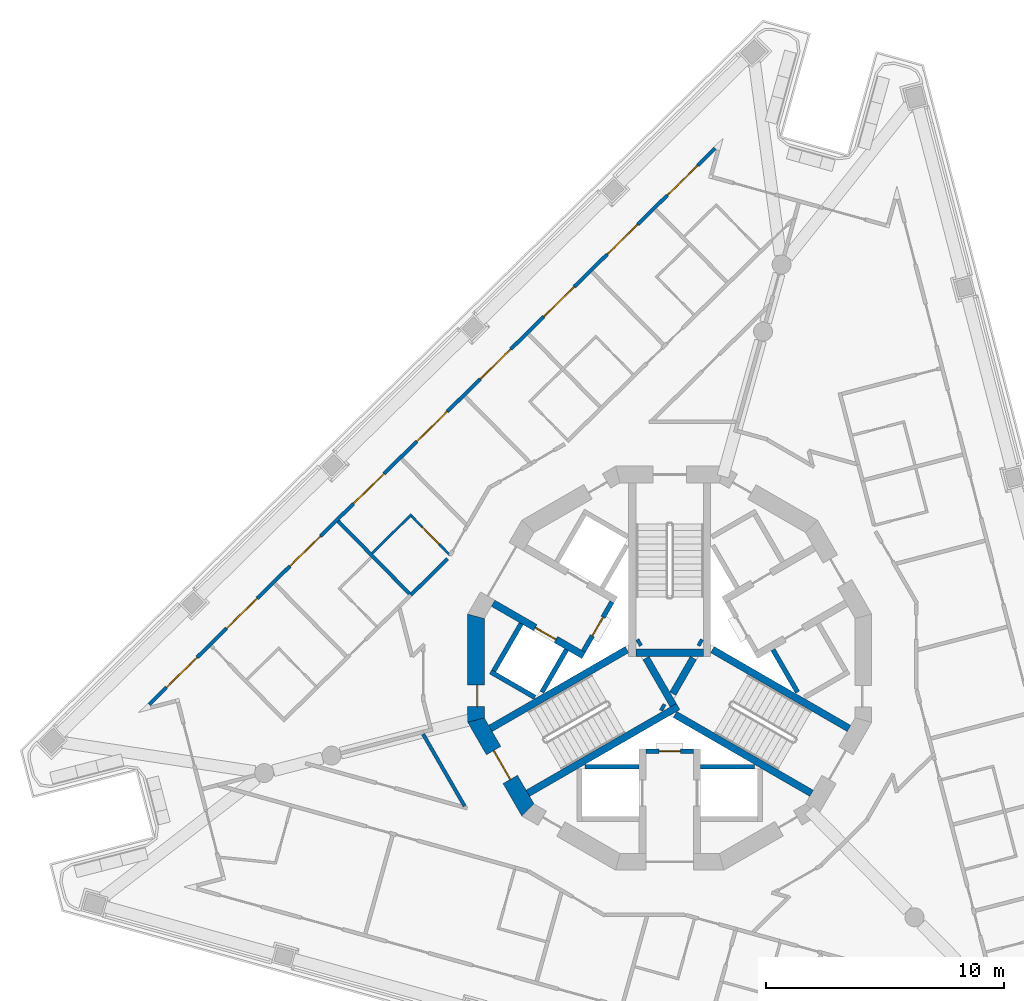
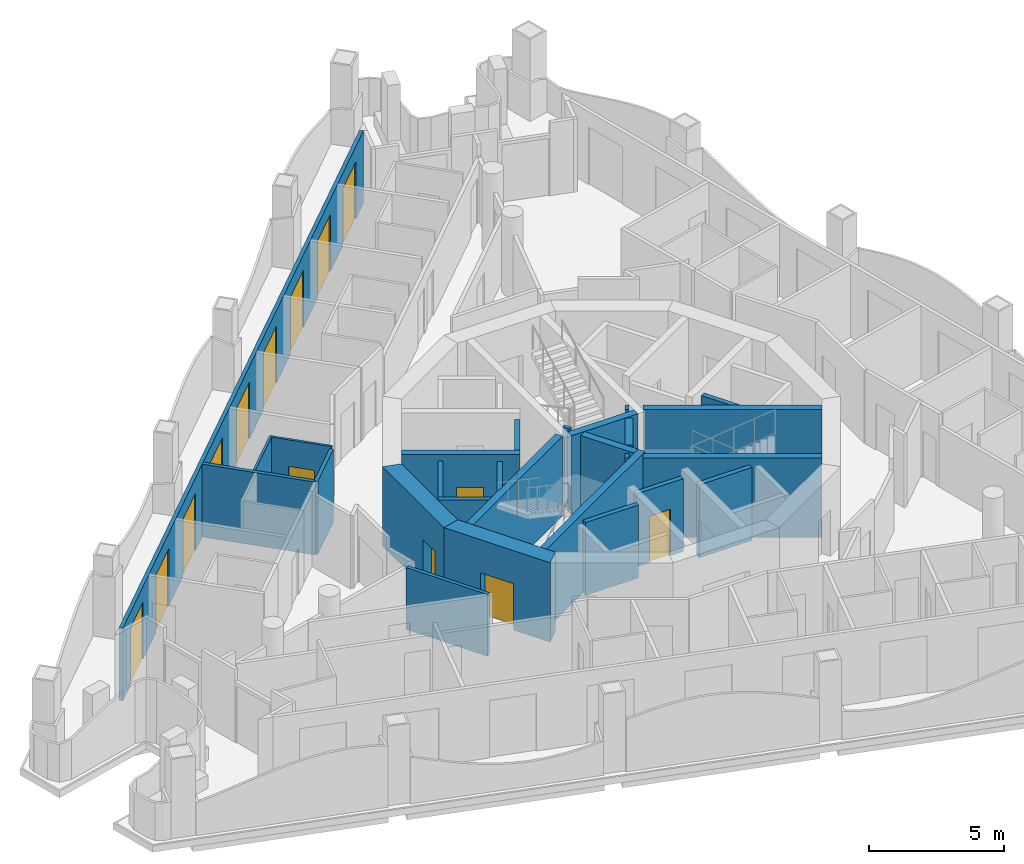
# One storey, part 4 of 14: 27 walls, 15 doors, 15 openings.
"""IFC4 building model written with IfcOpenShell, lengths in metres."""

from ifc_helpers import new_model, si_unit, direction, frame, frame_2d, origin, place, context, subcontext, project, spatial, polyline, rectangle, outline, extrude, material, layer, layer_set, type_object, element, fill, save


model = new_model("IFC4")

# Units and contexts
model_context = context("Model", 3, precision=1e-05, world=origin(), true_north=direction((0.0, 1.0)))
body_context = subcontext(model_context, "Body", "Model", "MODEL_VIEW")
ifc_project = project(units=[si_unit("LENGTHUNIT", "METRE"), si_unit("AREAUNIT", "SQUARE_METRE"), si_unit("VOLUMEUNIT", "CUBIC_METRE"), si_unit("PLANEANGLEUNIT", "RADIAN"), si_unit("MASSUNIT", "GRAM", prefix="KILO")], contexts=[model_context])

# Site, building, storey
site_placement = place(None, origin())
site = spatial("IfcSite", under=ifc_project, at=site_placement, CompositionType="ELEMENT")
building_placement = place(site_placement, origin())
building = spatial("IfcBuilding", under=site, at=building_placement, Name="Trine Commons Tower", CompositionType="ELEMENT")
storey_placement = place(building_placement, frame((0.0, 0.0, 238.5)))
storey = spatial("IfcBuildingStorey", under=building, at=storey_placement, Name="L62", CompositionType="ELEMENT", Elevation=238.5)

# Wall, openings, doors
ifc_material_1 = material(Name="Aluminium-framed insulated wall panel", Category="aluminium")
ifc_layer_1 = layer(ifc_material_1, 0.14990234375)
ifc_layer_set_1 = layer_set([ifc_layer_1], Name="Aluminium-framed insulated wall panel")
wall_type_1 = type_object("IfcWallType", Name="Glazed frame wall 150, EI 60", PredefinedType="SOLIDWALL", material=ifc_layer_set_1)
wall_1_placement = place(storey_placement, frame((57.98974609375, 60.867431640625, 0.0), z_axis=(0.0, 0.0, 1.0), x_axis=(0.713254682671, 0.700904956216, 0.0)))
wall_1 = element("IfcWall", 1, at=wall_1_placement, inside=storey, type_object=wall_type_1, Name="Glazed frame wall F1", PredefinedType="SOLIDWALL", context=body_context, shape_type="SweptSolid", body=[
    extrude(outline(polyline([(0.1494140625, 0.074951171875), (0.1494140625, -0.074951171875), (33.536865234375, -0.074951171875), (33.536865234375, 0.074951171875), (0.1494140625, 0.074951171875)])), origin(), (0.0, 0.0, 1.0), 3.300048828125),
])
opening_1_placement = place(wall_1_placement, frame((1.17138671875, 0.0, 0.0)))
opening_1 = element("IfcOpeningElement", 2, at=opening_1_placement, cuts=wall_1, Name="Opening BD-7F1-01", PredefinedType="OPENING", context=body_context, shape_type="SweptSolid", body=[
    extrude(rectangle(XDim=1.800048828125, YDim=2.60009765625, at=frame_2d((0.89990234375, 1.300048828125))), frame((0.0, 0.0849609375, 0.0), z_axis=(0.0, -1.0, 0.0), x_axis=(1.0, 0.0, 0.0)), (0.0, 0.0, 1.0), 0.169921875),
])
opening_2_placement = place(wall_1_placement, frame((4.71435546875, 0.0, 0.0)))
opening_2 = element("IfcOpeningElement", 3, at=opening_2_placement, cuts=wall_1, Name="Opening BD-7F1-02", PredefinedType="OPENING", context=body_context, shape_type="SweptSolid", body=[
    extrude(rectangle(XDim=1.800048828125, YDim=2.60009765625, at=frame_2d((0.89990234375, 1.300048828125))), frame((0.0, 0.0849609375, 0.0), z_axis=(0.0, -1.0, 0.0), x_axis=(1.0, 0.0, 0.0)), (0.0, 0.0, 1.0), 0.169921875),
])
opening_3_placement = place(wall_1_placement, frame((8.457275390625, 0.0, 0.0)))
opening_3 = element("IfcOpeningElement", 4, at=opening_3_placement, cuts=wall_1, Name="Opening BD-7F1-03", PredefinedType="OPENING", context=body_context, shape_type="SweptSolid", body=[
    extrude(rectangle(XDim=1.800048828125, YDim=2.60009765625, at=frame_2d((0.89990234375, 1.300048828125))), frame((0.0, 0.0849609375, 0.0), z_axis=(0.0, -1.0, 0.0), x_axis=(1.0, 0.0, 0.0)), (0.0, 0.0, 1.0), 0.169921875),
])
opening_4_placement = place(wall_1_placement, frame((12.2001953125, 0.0, 0.0)))
opening_4 = element("IfcOpeningElement", 5, at=opening_4_placement, cuts=wall_1, Name="Opening BD-7F1-04", PredefinedType="OPENING", context=body_context, shape_type="SweptSolid", body=[
    extrude(rectangle(XDim=1.800048828125, YDim=2.60009765625, at=frame_2d((0.89990234375, 1.300048828125))), frame((0.0, 0.0849609375, 0.0), z_axis=(0.0, -1.0, 0.0), x_axis=(1.0, 0.0, 0.0)), (0.0, 0.0, 1.0), 0.169921875),
])
opening_5_placement = place(wall_1_placement, frame((15.943115234375, 0.0, 0.0)))
opening_5 = element("IfcOpeningElement", 6, at=opening_5_placement, cuts=wall_1, Name="Opening BD-7F1-05", PredefinedType="OPENING", context=body_context, shape_type="SweptSolid", body=[
    extrude(rectangle(XDim=1.800048828125, YDim=2.60009765625, at=frame_2d((0.89990234375, 1.300048828125))), frame((0.0, 0.0849609375, 0.0), z_axis=(0.0, -1.0, 0.0), x_axis=(1.0, 0.0, 0.0)), (0.0, 0.0, 1.0), 0.169921875),
])
opening_6_placement = place(wall_1_placement, frame((19.68603515625, 0.0, 0.0)))
opening_6 = element("IfcOpeningElement", 7, at=opening_6_placement, cuts=wall_1, Name="Opening BD-7F1-06", PredefinedType="OPENING", context=body_context, shape_type="SweptSolid", body=[
    extrude(rectangle(XDim=1.800048828125, YDim=2.60009765625, at=frame_2d((0.89990234375, 1.300048828125))), frame((0.0, 0.0849609375, 0.0), z_axis=(0.0, -1.0, 0.0), x_axis=(1.0, 0.0, 0.0)), (0.0, 0.0, 1.0), 0.169921875),
])
opening_7_placement = place(wall_1_placement, frame((23.428955078125, 0.0, 0.0)))
opening_7 = element("IfcOpeningElement", 8, at=opening_7_placement, cuts=wall_1, Name="Opening BD-7F1-07", PredefinedType="OPENING", context=body_context, shape_type="SweptSolid", body=[
    extrude(rectangle(XDim=1.800048828125, YDim=2.60009765625, at=frame_2d((0.89990234375, 1.300048828125))), frame((0.0, 0.0849609375, 0.0), z_axis=(0.0, -1.0, 0.0), x_axis=(1.0, 0.0, 0.0)), (0.0, 0.0, 1.0), 0.169921875),
])
opening_8_placement = place(wall_1_placement, frame((27.171875, 0.0, 0.0)))
opening_8 = element("IfcOpeningElement", 9, at=opening_8_placement, cuts=wall_1, Name="Opening BD-7F1-08", PredefinedType="OPENING", context=body_context, shape_type="SweptSolid", body=[
    extrude(rectangle(XDim=1.800048828125, YDim=2.60009765625, at=frame_2d((0.89990234375, 1.300048828125))), frame((0.0, 0.0849609375, 0.0), z_axis=(0.0, -1.0, 0.0), x_axis=(1.0, 0.0, 0.0)), (0.0, 0.0, 1.0), 0.169921875),
])
opening_9_placement = place(wall_1_placement, frame((30.714599609375, 0.0, 0.0)))
opening_9 = element("IfcOpeningElement", 10, at=opening_9_placement, cuts=wall_1, Name="Opening BD-7F1-09", PredefinedType="OPENING", context=body_context, shape_type="SweptSolid", body=[
    extrude(rectangle(XDim=1.800048828125, YDim=2.60009765625, at=frame_2d((0.89990234375, 1.300048828125))), frame((0.0, 0.0849609375, 0.0), z_axis=(0.0, -1.0, 0.0), x_axis=(1.0, 0.0, 0.0)), (0.0, 0.0, 1.0), 0.169921875),
])
ifc_material_2 = material(Name="Anodised aluminium frame with double glazing", Category="aluminium")
door_type_1 = type_object("IfcDoorType", Name="Sliding loggia door 1800x2600", OperationType="SLIDING_TO_LEFT", PredefinedType="DOOR", material=ifc_material_2)
door_1_placement = place(opening_1_placement, origin())
door_1 = element("IfcDoor", 11, at=door_1_placement, inside=storey, type_object=door_type_1, Name="Loggia door F1 1", OperationType="SLIDING_TO_LEFT", OverallHeight=2.60009765625, OverallWidth=1.800048828125, PredefinedType="DOOR", context=body_context, shape_type="SweptSolid", body=[
    extrude(rectangle(XDim=1.800048828125, YDim=2.60009765625, at=frame_2d((0.89990234375, 1.300048828125))), frame((0.0, 0.02490234375, 0.0), z_axis=(0.0, -1.0, 0.0), x_axis=(1.0, 0.0, 0.0)), (0.0, 0.0, 1.0), 0.050048828125),
])
fill(opening_1, door_1)
door_2_placement = place(opening_2_placement, origin())
door_2 = element("IfcDoor", 12, at=door_2_placement, inside=storey, type_object=door_type_1, Name="Loggia door F1 2", OperationType="SLIDING_TO_LEFT", OverallHeight=2.60009765625, OverallWidth=1.800048828125, PredefinedType="DOOR", context=body_context, shape_type="SweptSolid", body=[
    extrude(rectangle(XDim=1.800048828125, YDim=2.60009765625, at=frame_2d((0.89990234375, 1.300048828125))), frame((0.0, 0.02490234375, 0.0), z_axis=(0.0, -1.0, 0.0), x_axis=(1.0, 0.0, 0.0)), (0.0, 0.0, 1.0), 0.050048828125),
])
fill(opening_2, door_2)
door_3_placement = place(opening_3_placement, origin())
door_3 = element("IfcDoor", 13, at=door_3_placement, inside=storey, type_object=door_type_1, Name="Loggia door F1 3", OperationType="SLIDING_TO_LEFT", OverallHeight=2.60009765625, OverallWidth=1.800048828125, PredefinedType="DOOR", context=body_context, shape_type="SweptSolid", body=[
    extrude(rectangle(XDim=1.800048828125, YDim=2.60009765625, at=frame_2d((0.89990234375, 1.300048828125))), frame((0.0, 0.02490234375, 0.0), z_axis=(0.0, -1.0, 0.0), x_axis=(1.0, 0.0, 0.0)), (0.0, 0.0, 1.0), 0.050048828125),
])
fill(opening_3, door_3)
door_4_placement = place(opening_4_placement, origin())
door_4 = element("IfcDoor", 14, at=door_4_placement, inside=storey, type_object=door_type_1, Name="Loggia door F1 4", OperationType="SLIDING_TO_LEFT", OverallHeight=2.60009765625, OverallWidth=1.800048828125, PredefinedType="DOOR", context=body_context, shape_type="SweptSolid", body=[
    extrude(rectangle(XDim=1.800048828125, YDim=2.60009765625, at=frame_2d((0.89990234375, 1.300048828125))), frame((0.0, 0.02490234375, 0.0), z_axis=(0.0, -1.0, 0.0), x_axis=(1.0, 0.0, 0.0)), (0.0, 0.0, 1.0), 0.050048828125),
])
fill(opening_4, door_4)
door_5_placement = place(opening_5_placement, origin())
door_5 = element("IfcDoor", 15, at=door_5_placement, inside=storey, type_object=door_type_1, Name="Loggia door F1 5", OperationType="SLIDING_TO_LEFT", OverallHeight=2.60009765625, OverallWidth=1.800048828125, PredefinedType="DOOR", context=body_context, shape_type="SweptSolid", body=[
    extrude(rectangle(XDim=1.800048828125, YDim=2.60009765625, at=frame_2d((0.89990234375, 1.300048828125))), frame((0.0, 0.02490234375, 0.0), z_axis=(0.0, -1.0, 0.0), x_axis=(1.0, 0.0, 0.0)), (0.0, 0.0, 1.0), 0.050048828125),
])
fill(opening_5, door_5)
door_6_placement = place(opening_6_placement, origin())
door_6 = element("IfcDoor", 16, at=door_6_placement, inside=storey, type_object=door_type_1, Name="Loggia door F1 6", OperationType="SLIDING_TO_LEFT", OverallHeight=2.60009765625, OverallWidth=1.800048828125, PredefinedType="DOOR", context=body_context, shape_type="SweptSolid", body=[
    extrude(rectangle(XDim=1.800048828125, YDim=2.60009765625, at=frame_2d((0.89990234375, 1.300048828125))), frame((0.0, 0.02490234375, 0.0), z_axis=(0.0, -1.0, 0.0), x_axis=(1.0, 0.0, 0.0)), (0.0, 0.0, 1.0), 0.050048828125),
])
fill(opening_6, door_6)
door_7_placement = place(opening_7_placement, origin())
door_7 = element("IfcDoor", 17, at=door_7_placement, inside=storey, type_object=door_type_1, Name="Loggia door F1 7", OperationType="SLIDING_TO_LEFT", OverallHeight=2.60009765625, OverallWidth=1.800048828125, PredefinedType="DOOR", context=body_context, shape_type="SweptSolid", body=[
    extrude(rectangle(XDim=1.800048828125, YDim=2.60009765625, at=frame_2d((0.89990234375, 1.300048828125))), frame((0.0, 0.02490234375, 0.0), z_axis=(0.0, -1.0, 0.0), x_axis=(1.0, 0.0, 0.0)), (0.0, 0.0, 1.0), 0.050048828125),
])
fill(opening_7, door_7)
door_8_placement = place(opening_8_placement, origin())
door_8 = element("IfcDoor", 18, at=door_8_placement, inside=storey, type_object=door_type_1, Name="Loggia door F1 8", OperationType="SLIDING_TO_LEFT", OverallHeight=2.60009765625, OverallWidth=1.800048828125, PredefinedType="DOOR", context=body_context, shape_type="SweptSolid", body=[
    extrude(rectangle(XDim=1.800048828125, YDim=2.60009765625, at=frame_2d((0.89990234375, 1.300048828125))), frame((0.0, 0.02490234375, 0.0), z_axis=(0.0, -1.0, 0.0), x_axis=(1.0, 0.0, 0.0)), (0.0, 0.0, 1.0), 0.050048828125),
])
fill(opening_8, door_8)
door_9_placement = place(opening_9_placement, origin())
door_9 = element("IfcDoor", 19, at=door_9_placement, inside=storey, type_object=door_type_1, Name="Loggia door F1 9", OperationType="SLIDING_TO_LEFT", OverallHeight=2.60009765625, OverallWidth=1.800048828125, PredefinedType="DOOR", context=body_context, shape_type="SweptSolid", body=[
    extrude(rectangle(XDim=1.800048828125, YDim=2.60009765625, at=frame_2d((0.89990234375, 1.300048828125))), frame((0.0, 0.02490234375, 0.0), z_axis=(0.0, -1.0, 0.0), x_axis=(1.0, 0.0, 0.0)), (0.0, 0.0, 1.0), 0.050048828125),
])
fill(opening_9, door_9)

# Wall, opening, door
ifc_material_3 = material(Name="Fire-rated gypsum shaft wall system")
ifc_layer_2 = layer(ifc_material_3, 0.199951171875)
ifc_layer_set_2 = layer_set([ifc_layer_2], Name="Fire-rated gypsum shaft wall system")
wall_type_2 = type_object("IfcWallType", Name="Lobby end wall 200 mm, EI 120", PredefinedType="PARTITIONING", material=ifc_layer_set_2)
wall_2_placement = place(storey_placement, frame((77.569091796875, 65.2890625, 0.0), z_axis=(0.0, 0.0, 1.0), x_axis=(-0.50012165622, -0.865955154139, 0.0)))
wall_2 = element("IfcWall", 20, at=wall_2_placement, inside=storey, type_object=wall_type_2, Name="Lobby end wall L62", PredefinedType="PARTITIONING", context=body_context, shape_type="SweptSolid", body=[
    extrude(rectangle(XDim=2.39990234375, YDim=0.199951171875, at=frame_2d((1.199951171875, 0.0))), origin(), (0.0, 0.0, 1.0), 3.300048828125),
])
opening_10_placement = place(wall_2_placement, frame((0.749755859375, 0.0, 0.0)))
opening_10 = element("IfcOpeningElement", 21, at=opening_10_placement, cuts=wall_2, Name="Opening K16.07", PredefinedType="OPENING", context=body_context, shape_type="SweptSolid", body=[
    extrude(rectangle(XDim=0.89990234375, YDim=2.10009765625, at=frame_2d((0.449951171875, 1.050048828125))), frame((0.0, 0.10986328125, 0.0), z_axis=(0.0, -1.0, 0.0), x_axis=(1.0, 0.0, 0.0)), (0.0, 0.0, 1.0), 0.219970703125),
])
ifc_material_4 = material(Name="Steel door leaf, fire-rated", Category="steel")
door_type_2 = type_object("IfcDoorType", Name="Riser access door, single leaf 900 x 2100, FD60", OperationType="SINGLE_SWING_LEFT", PredefinedType="DOOR", material=ifc_material_4)
door_10_placement = place(opening_10_placement, frame((0.89990234375, 0.0, 0.0), z_axis=(0.0, 0.0, 1.0), x_axis=(-1.0, 0.0, 0.0)))
door_10 = element("IfcDoor", 22, at=door_10_placement, inside=storey, type_object=door_type_2, Name="Riser door, Mechanical riser L62", OperationType="SINGLE_SWING_RIGHT", OverallHeight=2.10009765625, OverallWidth=0.89990234375, PredefinedType="DOOR", context=body_context, shape_type="SweptSolid", body=[
    extrude(rectangle(XDim=0.89990234375, YDim=2.10009765625, at=frame_2d((0.449951171875, 1.050048828125))), frame((0.0, 0.02490234375, 0.0), z_axis=(0.0, -1.0, 0.0), x_axis=(1.0, 0.0, 0.0)), (0.0, 0.0, 1.0), 0.050048828125),
])
fill(opening_10, door_10)

wall_3_placement = place(storey_placement, frame((79.0, 59.0, 0.0), z_axis=(0.0, 0.0, 1.0), x_axis=(1.0, 0.0, 0.0)))
wall_3 = element("IfcWall", 23, at=wall_3_placement, inside=storey, type_object=wall_type_2, Name="Lobby end wall L62", PredefinedType="PARTITIONING", context=body_context, shape_type="SweptSolid", body=[
    extrude(rectangle(XDim=2.0, YDim=0.199951171875, at=frame_2d((1.0, 0.0))), origin(), (0.0, 0.0, 1.0), 3.300048828125),
])
opening_11_placement = place(wall_3_placement, frame((0.550048828125, 0.0, 0.0)))
opening_11 = element("IfcOpeningElement", 24, at=opening_11_placement, cuts=wall_3, Name="Opening K16.09", PredefinedType="OPENING", context=body_context, shape_type="SweptSolid", body=[
    extrude(rectangle(XDim=0.89990234375, YDim=2.10009765625, at=frame_2d((0.449951171875, 1.050048828125))), frame((0.0, 0.10986328125, 0.0), z_axis=(0.0, -1.0, 0.0), x_axis=(1.0, 0.0, 0.0)), (0.0, 0.0, 1.0), 0.219970703125),
])
door_11_placement = place(opening_11_placement, frame((0.89990234375, 0.0, 0.0), z_axis=(0.0, 0.0, 1.0), x_axis=(-1.0, 0.0, 0.0)))
door_11 = element("IfcDoor", 25, at=door_11_placement, inside=storey, type_object=door_type_2, Name="Riser door, Communications riser L62", OperationType="SINGLE_SWING_RIGHT", OverallHeight=2.10009765625, OverallWidth=0.89990234375, PredefinedType="DOOR", context=body_context, shape_type="SweptSolid", body=[
    extrude(rectangle(XDim=0.89990234375, YDim=2.10009765625, at=frame_2d((0.449951171875, 1.050048828125))), frame((0.0, 0.02490234375, 0.0), z_axis=(0.0, -1.0, 0.0), x_axis=(1.0, 0.0, 0.0)), (0.0, 0.0, 1.0), 0.050048828125),
])
fill(opening_11, door_11)

ifc_material_5 = material(Name="Concrete C50/60", Category="concrete")
ifc_layer_3 = layer(ifc_material_5, 0.300048828125)
ifc_layer_set_3 = layer_set([ifc_layer_3], Name="Concrete C50/60")
wall_type_3 = type_object("IfcWallType", Name="RC shear wall 300 mm, C50/60", PredefinedType="SHEAR", material=ifc_layer_set_3)
wall_4_placement = place(storey_placement, frame((76.381103515625, 63.031005859375, 0.0), z_axis=(0.0, 0.0, 1.0), x_axis=(-0.866059941101, 0.499940174841, 0.0)))
wall_4 = element("IfcWall", 26, at=wall_4_placement, inside=storey, type_object=wall_type_3, Name="Core cross wall SWC-01 L62", PredefinedType="SHEAR", context=body_context, shape_type="SweptSolid", body=[
    extrude(rectangle(XDim=4.400390625, YDim=0.300048828125, at=frame_2d((2.2001953125, 0.0))), origin(), (0.0, 0.0, 1.0), 3.60009765625),
])
opening_12_placement = place(wall_4_placement, frame((1.350341796875, 0.0, 0.0)))
opening_12 = element("IfcOpeningElement", 27, at=opening_12_placement, cuts=wall_4, Name="Opening LD7", PredefinedType="OPENING", context=body_context, shape_type="SweptSolid", body=[
    extrude(rectangle(XDim=1.0, YDim=2.10009765625, at=frame_2d((0.5, 1.050048828125))), frame((0.0, 0.159912109375, 0.0), z_axis=(0.0, -1.0, 0.0), x_axis=(1.0, 0.0, 0.0)), (0.0, 0.0, 1.0), 0.320068359375),
])
ifc_material_6 = material(Name="Stainless steel sliding door leaves", Category="steel")
door_type_3 = type_object("IfcDoorType", Name="Lift landing door, centre-opening sliding 1000 x 2100, FD90", OperationType="DOUBLE_DOOR_SLIDING", PredefinedType="DOOR", material=ifc_material_6)
door_12_placement = place(opening_12_placement, origin())
door_12 = element("IfcDoor", 28, at=door_12_placement, inside=storey, type_object=door_type_3, Name="Lift landing door HR3 L62", OperationType="DOUBLE_DOOR_SLIDING", OverallHeight=2.10009765625, OverallWidth=1.0, PredefinedType="DOOR", context=body_context, shape_type="SweptSolid", body=[
    extrude(rectangle(XDim=1.0, YDim=2.10009765625, at=frame_2d((0.5, 1.050048828125))), frame((0.0, 0.02490234375, 0.0), z_axis=(0.0, -1.0, 0.0), x_axis=(1.0, 0.0, 0.0)), (0.0, 0.0, 1.0), 0.050048828125),
])
fill(opening_12, door_12)

# Walls
wall_5_placement = place(storey_placement, frame((78.199951171875, 63.280029296875, 0.0), z_axis=(0.0, 0.0, 1.0), x_axis=(-0.866009627307, -0.500027324665, 0.0)))
element("IfcWall", 29, at=wall_5_placement, inside=storey, type_object=wall_type_3, Name="Core cross wall SWC-07 L62", PredefinedType="SHEAR", context=body_context, shape_type="SweptSolid", body=[
    extrude(rectangle(XDim=6.631591796875, YDim=0.300048828125, at=frame_2d((3.31591796875, 0.0))), origin(), (0.0, 0.0, 1.0), 3.60009765625),
])
wall_6_placement = place(storey_placement, frame((78.779052734375, 63.614013671875, 0.0), z_axis=(0.0, 0.0, 1.0), x_axis=(-0.867737973955, -0.497021939713, 0.0)))
element("IfcWall", 30, at=wall_6_placement, inside=storey, type_object=wall_type_3, Name="Core cross wall SWC-09 L62", PredefinedType="SHEAR", context=body_context, shape_type="SweptSolid", body=[
    extrude(rectangle(XDim=0.14892578125, YDim=0.300048828125, at=frame_2d((0.074462890625, 0.0))), origin(), (0.0, 0.0, 1.0), 3.60009765625),
])
wall_7_placement = place(storey_placement, frame((79.0029296875, 62.926025390625, 0.0), z_axis=(0.0, 0.0, 1.0), x_axis=(0.499965247104, -0.866045467449, 0.0)))
element("IfcWall", 31, at=wall_7_placement, inside=storey, type_object=wall_type_3, Name="Core cross wall SWC-10 L62", PredefinedType="SHEAR", context=body_context, shape_type="SweptSolid", body=[
    extrude(rectangle(XDim=2.292236328125, YDim=0.300048828125, at=frame_2d((1.14599609375, 0.0))), origin(), (0.0, 0.0, 1.0), 3.60009765625),
])
wall_8_placement = place(storey_placement, frame((79.64599609375, 60.885986328125, 0.0), z_axis=(0.0, 0.0, 1.0), x_axis=(0.867331893649, -0.497730234424, 0.0)))
element("IfcWall", 32, at=wall_8_placement, inside=storey, type_object=wall_type_3, Name="Core cross wall SWC-11 L62", PredefinedType="SHEAR", context=body_context, shape_type="SweptSolid", body=[
    extrude(rectangle(XDim=0.148681640625, YDim=0.300048828125, at=frame_2d((0.07421875, 0.0))), origin(), (0.0, 0.0, 1.0), 3.60009765625),
])
wall_9_placement = place(storey_placement, frame((80.1298828125, 61.424072265625, 0.0), z_axis=(0.0, 0.0, 1.0), x_axis=(0.500014901547, 0.866016800201, 0.0)))
element("IfcWall", 33, at=wall_9_placement, inside=storey, type_object=wall_type_3, Name="Core cross wall SWC-12 L62", PredefinedType="SHEAR", context=body_context, shape_type="SweptSolid", body=[
    extrude(rectangle(XDim=1.734375, YDim=0.300048828125, at=frame_2d((0.8671875, 0.0))), origin(), (0.0, 0.0, 1.0), 3.60009765625),
])
wall_10_placement = place(storey_placement, frame((80.22509765625, 60.552001953125, 0.0), z_axis=(0.0, 0.0, 1.0), x_axis=(0.866009627307, -0.500027324665, 0.0)))
element("IfcWall", 34, at=wall_10_placement, inside=storey, type_object=wall_type_3, Name="Core cross wall SWC-13 L62", PredefinedType="SHEAR", context=body_context, shape_type="SweptSolid", body=[
    extrude(rectangle(XDim=6.631591796875, YDim=0.300048828125, at=frame_2d((3.31591796875, 0.0))), origin(), (0.0, 0.0, 1.0), 3.60009765625),
])
wall_11_placement = place(storey_placement, frame((80.35400390625, 60.885986328125, 0.0), z_axis=(0.0, 0.0, 1.0), x_axis=(-0.866032430508, -0.49998782916, 0.0)))
element("IfcWall", 35, at=wall_11_placement, inside=storey, type_object=wall_type_3, Name="Core cross wall SWC-14 L62", PredefinedType="SHEAR", context=body_context, shape_type="SweptSolid", body=[
    extrude(rectangle(XDim=7.300048828125, YDim=0.300048828125, at=frame_2d((3.64990234375, 0.0))), origin(), (0.0, 0.0, 1.0), 3.60009765625),
])
wall_12_placement = place(storey_placement, frame((81.220947265625, 63.614013671875, 0.0), z_axis=(0.0, 0.0, 1.0), x_axis=(0.867737973955, -0.497021939713, 0.0)))
element("IfcWall", 36, at=wall_12_placement, inside=storey, type_object=wall_type_3, Name="Core cross wall SWC-15 L62", PredefinedType="SHEAR", context=body_context, shape_type="SweptSolid", body=[
    extrude(rectangle(XDim=0.14892578125, YDim=0.300048828125, at=frame_2d((0.074462890625, 0.0))), origin(), (0.0, 0.0, 1.0), 3.60009765625),
])
wall_13_placement = place(storey_placement, frame((81.425048828125, 63.15087890625, 0.0), z_axis=(0.0, 0.0, 1.0), x_axis=(-1.0, 0.0, 0.0)))
element("IfcWall", 37, at=wall_13_placement, inside=storey, type_object=wall_type_3, Name="Core cross wall SWC-16 L62", PredefinedType="SHEAR", context=body_context, shape_type="SweptSolid", body=[
    extrude(rectangle(XDim=2.85009765625, YDim=0.300048828125, at=frame_2d((1.425048828125, 0.0))), origin(), (0.0, 0.0, 1.0), 3.60009765625),
])
wall_14_placement = place(storey_placement, frame((81.800048828125, 63.280029296875, 0.0), z_axis=(0.0, 0.0, 1.0), x_axis=(0.866009627307, -0.500027324665, 0.0)))
element("IfcWall", 38, at=wall_14_placement, inside=storey, type_object=wall_type_3, Name="Core cross wall SWC-18 L62", PredefinedType="SHEAR", context=body_context, shape_type="SweptSolid", body=[
    extrude(rectangle(XDim=6.631591796875, YDim=0.300048828125, at=frame_2d((3.31591796875, 0.0))), origin(), (0.0, 0.0, 1.0), 3.60009765625),
])

# Wall, opening, door
ifc_layer_4 = layer(ifc_material_5, 0.699951171875)
ifc_layer_set_4 = layer_set([ifc_layer_4], Name="Concrete C50/60")
wall_type_4 = type_object("IfcWallType", Name="RC shear wall 700 mm, C50/60", PredefinedType="SHEAR", material=ifc_layer_set_4)
wall_15_placement = place(storey_placement, frame((71.849853515625, 64.777587890625, 0.0), z_axis=(0.0, 0.0, 1.0), x_axis=(0.0, -1.0, 0.0)))
wall_15 = element("IfcWall", 39, at=wall_15_placement, inside=storey, type_object=wall_type_4, Name="Core wall CWG-07 L62", PredefinedType="SHEAR", context=body_context, shape_type="SweptSolid", body=[
    extrude(outline(polyline([(0.0, -0.35009765625), (4.55517578125, -0.35009765625), (4.36767578125, 0.35009765625), (0.1875, 0.35009765625), (0.0, -0.35009765625)])), origin(), (0.0, 0.0, 1.0), 3.60009765625),
])
opening_13_placement = place(wall_15_placement, frame((2.99169921875, 0.0, 0.0)))
opening_13 = element("IfcOpeningElement", 40, at=opening_13_placement, cuts=wall_15, Name="Opening K16.14", PredefinedType="OPENING", context=body_context, shape_type="SweptSolid", body=[
    extrude(rectangle(XDim=0.89990234375, YDim=2.10009765625, at=frame_2d((0.449951171875, 1.050048828125))), frame((0.0, 0.35986328125, 0.0), z_axis=(0.0, -1.0, 0.0), x_axis=(1.0, 0.0, 0.0)), (0.0, 0.0, 1.0), 0.719970703125),
])
door_type_4 = type_object("IfcDoorType", Name="Core room door, single leaf 900 x 2100, FD30S", OperationType="SINGLE_SWING_LEFT", PredefinedType="DOOR", material=ifc_material_4)
door_13_placement = place(opening_13_placement, origin())
door_13 = element("IfcDoor", 41, at=door_13_placement, inside=storey, type_object=door_type_4, Name="Door to Pantry L62", OperationType="SINGLE_SWING_RIGHT", OverallHeight=2.10009765625, OverallWidth=0.89990234375, PredefinedType="DOOR", context=body_context, shape_type="SweptSolid", body=[
    extrude(rectangle(XDim=0.89990234375, YDim=2.10009765625, at=frame_2d((0.449951171875, 1.050048828125))), frame((0.0, 0.0751953125, 0.0), z_axis=(0.0, -1.0, 0.0), x_axis=(1.0, 0.0, 0.0)), (0.0, 0.0, 1.0), 0.050048828125),
])
fill(opening_13, door_13)

wall_16_placement = place(storey_placement, frame((71.802978515625, 60.3974609375, 0.0), z_axis=(0.0, 0.0, 1.0), x_axis=(0.499983800959, -0.866034756103, 0.0)))
wall_16 = element("IfcWall", 42, at=wall_16_placement, inside=storey, type_object=wall_type_4, Name="Core wall CWG-08 L62", PredefinedType="SHEAR", context=body_context, shape_type="SweptSolid", body=[
    extrude(outline(polyline([(0.0, -0.35009765625), (4.55517578125, -0.35009765625), (4.36767578125, 0.35009765625), (0.1875, 0.35009765625), (0.0, -0.35009765625)])), origin(), (0.0, 0.0, 1.0), 3.60009765625),
])
opening_14_placement = place(wall_16_placement, frame((1.577392578125, 0.0, 0.0)))
opening_14 = element("IfcOpeningElement", 43, at=opening_14_placement, cuts=wall_16, Name="Opening K16.02", PredefinedType="OPENING", context=body_context, shape_type="SweptSolid", body=[
    extrude(rectangle(XDim=1.39990234375, YDim=2.10009765625, at=frame_2d((0.699951171875, 1.050048828125))), frame((0.0, 0.35986328125, 0.0), z_axis=(0.0, -1.0, 0.0), x_axis=(1.0, 0.0, 0.0)), (0.0, 0.0, 1.0), 0.719970703125),
])
ifc_material_7 = material(Name="Steel door leaves, fire-rated", Category="steel")
door_type_5 = type_object("IfcDoorType", Name="Stair door, double leaf 1400 x 2100, FD90", OperationType="DOUBLE_DOOR_SINGLE_SWING", PredefinedType="DOOR", material=ifc_material_7)
door_14_placement = place(opening_14_placement, origin())
door_14 = element("IfcDoor", 44, at=door_14_placement, inside=storey, type_object=door_type_5, Name="Stair door to Exit stair ST2C L62", OperationType="DOUBLE_DOOR_SINGLE_SWING", OverallHeight=2.10009765625, OverallWidth=1.39990234375, PredefinedType="DOOR", context=body_context, shape_type="SweptSolid", body=[
    extrude(rectangle(XDim=1.39990234375, YDim=2.10009765625, at=frame_2d((0.699951171875, 1.050048828125))), frame((0.0, 0.02490234375, 0.0), z_axis=(0.0, -1.0, 0.0), x_axis=(1.0, 0.0, 0.0)), (0.0, 0.0, 1.0), 0.050048828125),
])
fill(opening_14, door_14)

# Walls
ifc_layer_5 = layer(ifc_material_3, 0.199951171875)
ifc_layer_set_5 = layer_set([ifc_layer_5], Name="Fire-rated gypsum shaft wall system")
wall_type_5 = type_object("IfcWallType", Name="Shaft wall 200 mm, EI 120", PredefinedType="PARTITIONING", material=ifc_layer_set_5)
wall_17_placement = place(storey_placement, frame((73.7509765625, 64.3759765625, 0.0), z_axis=(0.0, 0.0, 1.0), x_axis=(-0.500136062276, -0.86594683394, 0.0)))
element("IfcWall", 45, at=wall_17_placement, inside=storey, type_object=wall_type_5, Name="Shaft wall L62", PredefinedType="PARTITIONING", context=body_context, shape_type="SweptSolid", body=[
    extrude(rectangle(XDim=2.299072265625, YDim=0.199951171875, at=frame_2d((1.1494140625, 0.0))), origin(), (0.0, 0.0, 1.0), 3.300048828125),
])
wall_18_placement = place(storey_placement, frame((74.324951171875, 61.27392578125, 0.0), z_axis=(0.0, 0.0, 1.0), x_axis=(-0.866102336459, 0.499866725018, 0.0)))
element("IfcWall", 46, at=wall_18_placement, inside=storey, type_object=wall_type_5, Name="Shaft wall L62", PredefinedType="PARTITIONING", context=body_context, shape_type="SweptSolid", body=[
    extrude(rectangle(XDim=2.1484375, YDim=0.199951171875, at=frame_2d((1.07421875, 0.0))), origin(), (0.0, 0.0, 1.0), 3.300048828125),
])
wall_19_placement = place(storey_placement, frame((75.656005859375, 63.27587890625, 0.0), z_axis=(0.0, 0.0, 1.0), x_axis=(-0.500271688072, -0.86586848777, 0.0)))
element("IfcWall", 47, at=wall_19_placement, inside=storey, type_object=wall_type_5, Name="Shaft wall L62", PredefinedType="PARTITIONING", context=body_context, shape_type="SweptSolid", body=[
    extrude(rectangle(XDim=2.064697265625, YDim=0.199951171875, at=frame_2d((1.0322265625, 0.0))), origin(), (0.0, 0.0, 1.0), 3.300048828125),
])
for number, where, z_axis, x_axis, name in (
    (48, (78.699951171875, 58.35009765625, 0.0), (0.0, 0.0, 1.0), (-1.0, 0.0, 0.0), "Shaft wall L62"),
    (49, (81.300048828125, 58.35009765625, 0.0), (0.0, 0.0, 1.0), (1.0, 0.0, 0.0), "Shaft wall L62"),
):
    element("IfcWall", number, at=place(storey_placement, frame(where, z_axis=z_axis, x_axis=x_axis)), inside=storey, type_object=wall_type_5, Name=name, PredefinedType="PARTITIONING", context=body_context, shape_type="SweptSolid", body=[
        extrude(rectangle(XDim=2.264892578125, YDim=0.199951171875, at=frame_2d((1.13232421875, 0.0))), origin(), (0.0, 0.0, 1.0), 3.300048828125),
    ])
wall_20_placement = place(storey_placement, frame((84.343994140625, 63.27587890625, 0.0), z_axis=(0.0, 0.0, 1.0), x_axis=(0.500271688072, -0.86586848777, 0.0)))
element("IfcWall", 50, at=wall_20_placement, inside=storey, type_object=wall_type_5, Name="Shaft wall L62", PredefinedType="PARTITIONING", context=body_context, shape_type="SweptSolid", body=[
    extrude(rectangle(XDim=2.064697265625, YDim=0.199951171875, at=frame_2d((1.0322265625, 0.0))), origin(), (0.0, 0.0, 1.0), 3.300048828125),
])
ifc_material_8 = material(Name="Gypsum plasterboard on steel stud", Category="steel")
ifc_layer_6 = layer(ifc_material_8, 0.14990234375)
ifc_layer_set_6 = layer_set([ifc_layer_6], Name="Gypsum plasterboard on steel stud")
wall_type_6 = type_object("IfcWallType", Name="Unit and corridor wall 150 mm, EI 60", PredefinedType="PARTITIONING", material=ifc_layer_set_6)
wall_21_placement = place(storey_placement, frame((66.051025390625, 68.6845703125, 0.0), z_axis=(0.0, 0.0, 1.0), x_axis=(0.700808262034, -0.713349689748, 0.0)))
element("IfcWall", 51, at=wall_21_placement, inside=storey, type_object=wall_type_6, Name="Partition 013", PredefinedType="PARTITIONING", context=body_context, shape_type="SweptSolid", body=[
    extrude(rectangle(XDim=4.360595703125, YDim=0.14990234375, at=frame_2d((2.18017578125, 0.0))), origin(), (0.0, 0.0, 1.0), 3.300048828125),
])
wall_22_placement = place(storey_placement, frame((69.10205078125, 65.572998046875, 0.0), z_axis=(0.0, 0.0, 1.0), x_axis=(0.713007842216, 0.701156057478, 0.0)))
element("IfcWall", 52, at=wall_22_placement, inside=storey, type_object=wall_type_6, Name="Partition 023", PredefinedType="PARTITIONING", context=body_context, shape_type="SweptSolid", body=[
    extrude(rectangle(XDim=2.18359375, YDim=0.14990234375, at=frame_2d((1.091796875, 0.0))), origin(), (0.0, 0.0, 1.0), 3.300048828125),
])
wall_23_placement = place(storey_placement, frame((69.625, 59.719970703125, 0.0), z_axis=(0.0, 0.0, 1.0), x_axis=(0.50005889006, -0.865991400923, 0.0)))
element("IfcWall", 53, at=wall_23_placement, inside=storey, type_object=wall_type_6, Name="Partition 025", PredefinedType="PARTITIONING", context=body_context, shape_type="SweptSolid", body=[
    extrude(rectangle(XDim=3.49658203125, YDim=0.14990234375, at=frame_2d((1.748291015625, 0.0))), origin(), (0.0, 0.0, 1.0), 2.800048828125),
])
ifc_layer_7 = layer(ifc_material_8, 0.10009765625)
ifc_layer_set_7 = layer_set([ifc_layer_7], Name="Gypsum plasterboard on steel stud")
wall_type_7 = type_object("IfcWallType", Name="Unit partition 100 mm, no rating", PredefinedType="PARTITIONING", material=ifc_layer_set_7)
wall_24_placement = place(storey_placement, frame((67.478515625, 67.338623046875, 0.0), z_axis=(0.0, 0.0, 1.0), x_axis=(0.713275639023, 0.700883629982, 0.0)))
element("IfcWall", 54, at=wall_24_placement, inside=storey, type_object=wall_type_7, Name="Partition 017", PredefinedType="PARTITIONING", context=body_context, shape_type="SweptSolid", body=[
    extrude(rectangle(XDim=2.32470703125, YDim=0.10009765625, at=frame_2d((1.162353515625, 0.0))), origin(), (0.0, 0.0, 1.0), 3.300048828125),
])

# Wall, opening, door
wall_25_placement = place(storey_placement, frame((69.135986328125, 68.8974609375, 0.0), z_axis=(0.0, 0.0, 1.0), x_axis=(0.701179250169, -0.712985034297, 0.0)))
wall_25 = element("IfcWall", 55, at=wall_25_placement, inside=storey, type_object=wall_type_7, Name="Partition 022", PredefinedType="PARTITIONING", context=body_context, shape_type="SweptSolid", body=[
    extrude(rectangle(XDim=2.316162109375, YDim=0.10009765625, at=frame_2d((1.158203125, 0.0))), origin(), (0.0, 0.0, 1.0), 3.300048828125),
])
opening_15_placement = place(wall_25_placement, frame((0.657958984375, 0.0, 0.0)))
opening_15 = element("IfcOpeningElement", 56, at=opening_15_placement, cuts=wall_25, Name="Opening D-7A30", PredefinedType="OPENING", context=body_context, shape_type="SweptSolid", body=[
    extrude(rectangle(XDim=1.0, YDim=2.10009765625, at=frame_2d((0.5, 1.050048828125))), frame((0.0, 0.06005859375, 0.0), z_axis=(0.0, -1.0, 0.0), x_axis=(1.0, 0.0, 0.0)), (0.0, 0.0, 1.0), 0.1201171875),
])
ifc_material_9 = material(Name="Painted timber", Category="wood")
door_type_6 = type_object("IfcDoorType", Name="Internal door 1000 x 2100, NOT RATED", OperationType="NOTDEFINED", PredefinedType="DOOR", material=ifc_material_9)
door_15_placement = place(opening_15_placement, origin())
door_15 = element("IfcDoor", 57, at=door_15_placement, inside=storey, type_object=door_type_6, Name="Door D-7A30", OperationType="SINGLE_SWING_LEFT", OverallHeight=2.10009765625, OverallWidth=1.0, PredefinedType="DOOR", context=body_context, shape_type="SweptSolid", body=[
    extrude(rectangle(XDim=1.0, YDim=2.10009765625, at=frame_2d((0.5, 1.050048828125))), frame((0.0, 0.02490234375, 0.0), z_axis=(0.0, -1.0, 0.0), x_axis=(1.0, 0.0, 0.0)), (0.0, 0.0, 1.0), 0.050048828125),
])
fill(opening_15, door_15)

save(model, "model.ifc")
